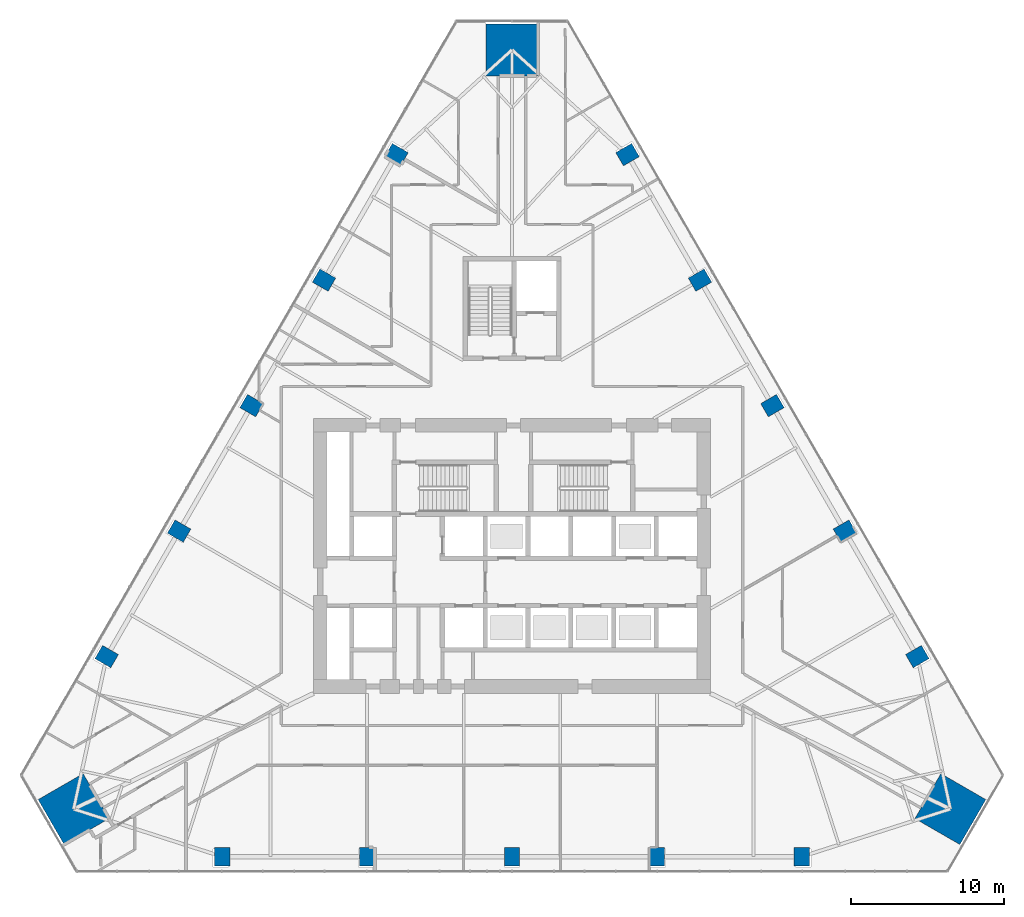
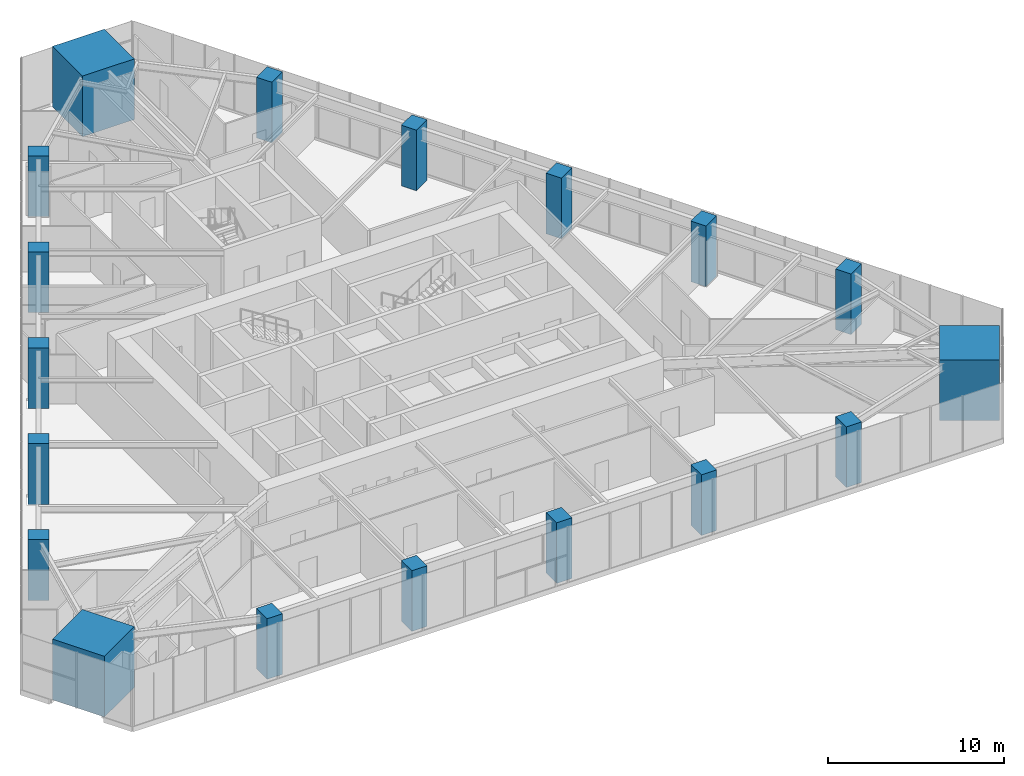
# One storey, part 1 of 21: 18 columns.
"""IFC4 building model written with IfcOpenShell, lengths in metres."""

from ifc_helpers import new_model, si_unit, direction, frame, origin, origin_2d, place, context, subcontext, project, spatial, rectangle, extrude, material, material_profile, profile_set, type_object, element, save


model = new_model("IFC4")

# Units and contexts
model_context = context("Model", 3, precision=1e-05, world=origin(), true_north=direction((0.0, 1.0)))
body_context = subcontext(model_context, "Body", "Model", "MODEL_VIEW")
ifc_project = project(units=[si_unit("LENGTHUNIT", "METRE"), si_unit("AREAUNIT", "SQUARE_METRE"), si_unit("VOLUMEUNIT", "CUBIC_METRE"), si_unit("PLANEANGLEUNIT", "RADIAN"), si_unit("MASSUNIT", "GRAM", prefix="KILO")], contexts=[model_context])

# Site, building, storey
site_placement = place(None, origin())
site = spatial("IfcSite", under=ifc_project, at=site_placement, CompositionType="ELEMENT")
building_placement = place(site_placement, origin())
building = spatial("IfcBuilding", under=site, at=building_placement, Name="Firuza Gate Tower and Library", CompositionType="ELEMENT")
storey_placement = place(building_placement, frame((0.0, 0.0, 69.39990234375)))
storey = spatial("IfcBuildingStorey", under=building, at=storey_placement, Name="L15", CompositionType="ELEMENT", Elevation=69.39990234375)

# Columns
ifc_material_1 = material(Name="Concrete C80/95", Category="concrete")
ifc_material_profile_1 = material_profile(ifc_material_1, rectangle(XDim=3.39990234375, YDim=3.39990234375, at=origin_2d()))
ifc_profile_set_1 = profile_set([ifc_material_profile_1], Name="Concrete C80/95")
column_type_1 = type_object("IfcColumnType", Name="Mega column 3400x3400 C80/95", PredefinedType="COLUMN", material=ifc_profile_set_1)
for number, where, z_axis, x_axis, name in (
    (1, (103.697021484375, 58.431640625, 0.0), (0.0, 0.0, 1.0), (0.5, 0.866025403784, 0.0), "Mega column SE L15"),
    (2, (75.0, 108.136474609375, 0.0), (0.0, 0.0, 1.0), (-1.0, 0.0, 0.0), "Mega column N L15"),
    (3, (46.302978515625, 58.431640625, 0.0), (0.0, 0.0, 1.0), (0.5, -0.866025403784, 0.0), "Mega column SW L15"),
):
    element("IfcColumn", number, at=place(storey_placement, frame(where, z_axis=z_axis, x_axis=x_axis)), inside=storey, type_object=column_type_1, Name=name, PredefinedType="COLUMN", context=body_context, shape_type="SweptSolid", body=[
        extrude(rectangle(XDim=3.39990234375, YDim=3.39990234375, at=origin_2d()), origin(), (0.0, 0.0, 1.0), 4.2001953125),
    ])
ifc_material_2 = material(Name="Concrete C60/75", Category="concrete")
ifc_material_profile_2 = material_profile(ifc_material_2, rectangle(XDim=1.0, YDim=1.199951171875, at=origin_2d()))
ifc_profile_set_2 = profile_set([ifc_material_profile_2], Name="Concrete C60/75")
column_type_2 = type_object("IfcColumnType", Name="Perimeter column 1000x1200 C60/75", PredefinedType="COLUMN", material=ifc_profile_set_2)
for number, where, z_axis, x_axis, name in (
    (4, (56.029296875, 55.31396484375, -0.000244140625), (0.0, 0.0, 1.0), (1.0, 0.0, 0.0), "Column S1 L15"),
    (5, (65.5146484375, 55.31396484375, -0.000244140625), (0.0, 0.0, 1.0), (1.0, 0.0, 0.0), "Column S2 L15"),
    (6, (75.0, 55.31396484375, -0.000244140625), (0.0, 0.0, 1.0), (1.0, 0.0, 0.0), "Column S3 L15"),
    (7, (84.4853515625, 55.31396484375, -0.000244140625), (0.0, 0.0, 1.0), (1.0, 0.0, 0.0), "Column S4 L15"),
    (8, (93.970703125, 55.31396484375, -0.000244140625), (0.0, 0.0, 1.0), (1.0, 0.0, 0.0), "Column S5 L15"),
    (9, (101.533935546875, 68.4140625, -0.000244140625), (0.0, 0.0, 1.0), (-0.5, 0.866025403784, 0.0), "Column E1 L15"),
    (10, (96.791259765625, 76.62841796875, -0.000244140625), (0.0, 0.0, 1.0), (-0.5, 0.866025403784, 0.0), "Column E2 L15"),
    (11, (92.048583984375, 84.843017578125, -0.000244140625), (0.0, 0.0, 1.0), (-0.5, 0.866025403784, 0.0), "Column E3 L15"),
    (12, (87.305908203125, 93.057373046875, -0.000244140625), (0.0, 0.0, 1.0), (-0.5, 0.866025403784, 0.0), "Column E4 L15"),
    (13, (82.563232421875, 101.27197265625, -0.000244140625), (0.0, 0.0, 1.0), (-0.5, 0.866025403784, 0.0), "Column E5 L15"),
    (14, (67.436767578125, 101.27197265625, -0.000244140625), (0.0, 0.0, 1.0), (-0.5, -0.866025403784, 0.0), "Column W1 L15"),
    (15, (62.694091796875, 93.057373046875, -0.000244140625), (0.0, 0.0, 1.0), (-0.5, -0.866025403784, 0.0), "Column W2 L15"),
    (16, (57.951416015625, 84.843017578125, -0.000244140625), (0.0, 0.0, 1.0), (-0.5, -0.866025403784, 0.0), "Column W3 L15"),
    (17, (53.208740234375, 76.62841796875, -0.000244140625), (0.0, 0.0, 1.0), (-0.5, -0.866025403784, 0.0), "Column W4 L15"),
    (18, (48.466064453125, 68.4140625, -0.000244140625), (0.0, 0.0, 1.0), (-0.5, -0.866025403784, 0.0), "Column W5 L15"),
):
    element("IfcColumn", number, at=place(storey_placement, frame(where, z_axis=z_axis, x_axis=x_axis)), inside=storey, type_object=column_type_2, Name=name, PredefinedType="COLUMN", context=body_context, shape_type="SweptSolid", body=[
        extrude(rectangle(XDim=1.0, YDim=1.199951171875, at=origin_2d()), origin(), (0.0, 0.0, 1.0), 4.200439453125),
    ])

save(model, "model.ifc")
